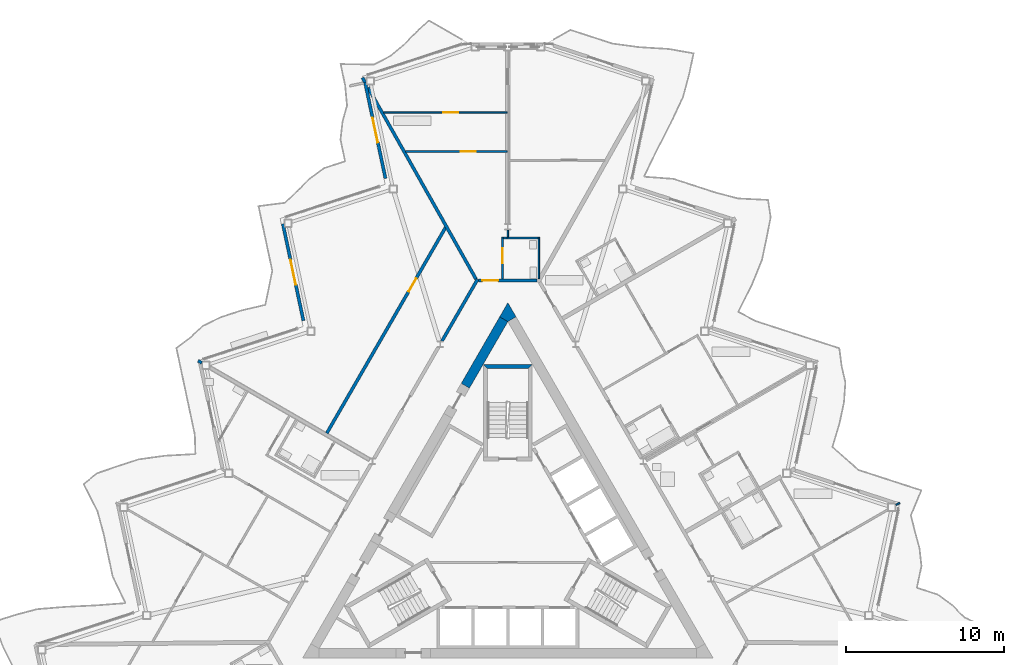
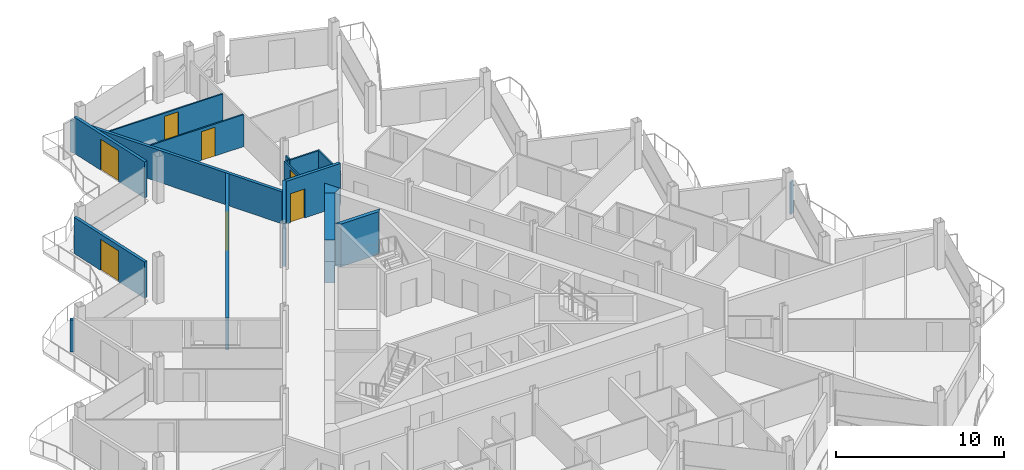
# One storey, part 17 of 26: 19 walls, 7 doors, 7 openings.
"""IFC4 building model written with IfcOpenShell, lengths in metres."""

from ifc_helpers import new_model, si_unit, direction, frame, frame_2d, origin, place, context, subcontext, project, spatial, polyline, rectangle, outline, extrude, material, layer, layer_set, type_object, element, fill, save


model = new_model("IFC4")

# Units and contexts
model_context = context("Model", 3, precision=1e-05, world=origin(), true_north=direction((0.0, 1.0)))
body_context = subcontext(model_context, "Body", "Model", "MODEL_VIEW")
ifc_project = project(units=[si_unit("LENGTHUNIT", "METRE"), si_unit("AREAUNIT", "SQUARE_METRE"), si_unit("VOLUMEUNIT", "CUBIC_METRE"), si_unit("PLANEANGLEUNIT", "RADIAN"), si_unit("MASSUNIT", "GRAM", prefix="KILO")], contexts=[model_context])

# Site, building, storey
site_placement = place(None, origin())
site = spatial("IfcSite", under=ifc_project, at=site_placement, CompositionType="ELEMENT")
building_placement = place(site_placement, origin())
building = spatial("IfcBuilding", under=site, at=building_placement, Name="Cormorant Prow Tower", CompositionType="ELEMENT")
storey_placement = place(building_placement, frame((0.0, 0.0, 378.0)))
storey = spatial("IfcBuildingStorey", under=building, at=storey_placement, Name="L85", CompositionType="ELEMENT", Elevation=378.0)

# Walls
ifc_material_1 = material(Name="Concrete 8000 psi", Category="concrete")
ifc_layer_1 = layer(ifc_material_1, 0.60009765625)
ifc_layer_set_1 = layer_set([ifc_layer_1], Name="Concrete 8000 psi")
wall_type_1 = type_object("IfcWallType", Name="Core shear wall 600", PredefinedType="SHEAR", material=ifc_layer_set_1)
wall_1_placement = place(storey_placement, frame((-0.259765625, 13.961181640625, 0.0), z_axis=(0.0, 0.0, 1.0), x_axis=(-0.50000604952, -0.866021911064, 0.0)))
element("IfcWall", 1, at=wall_1_placement, inside=storey, type_object=wall_type_1, Name="Core wall", PredefinedType="SHEAR", context=body_context, shape_type="SweptSolid", body=[
    extrude(rectangle(XDim=4.86865234375, YDim=0.60009765625, at=frame_2d((2.434326171875, 0.0))), origin(), (0.0, 0.0, 1.0), 3.10009765625),
])
wall_2_placement = place(storey_placement, origin())
element("IfcWall", 2, at=wall_2_placement, inside=storey, type_object=wall_type_1, Name="Core wall corner", PredefinedType="SHEAR", context=body_context, shape_type="SweptSolid", body=[
    extrude(outline(polyline([(-0.51953125, 14.111083984375), (0.0, 15.010986328125), (0.51953125, 14.111083984375), (0.0, 13.81103515625), (-0.51953125, 14.111083984375)])), origin(), (0.0, 0.0, 1.0), 3.10009765625),
])
ifc_material_2 = material(Name="Gypsum board corridor wall")
ifc_layer_2 = layer(ifc_material_2, 0.199951171875)
ifc_layer_set_2 = layer_set([ifc_layer_2], Name="Gypsum board corridor wall")
wall_type_2 = type_object("IfcWallType", Name="Corridor wall 200", PredefinedType="PARTITIONING", material=ifc_layer_set_2)
wall_3_placement = place(storey_placement, frame((-4.175537109375, 12.578857421875, 0.0), z_axis=(0.0, 0.0, 1.0), x_axis=(0.499974648164, 0.866040040179, 0.0)))
element("IfcWall", 3, at=wall_3_placement, inside=storey, type_object=wall_type_2, Name="Corridor wall", PredefinedType="PARTITIONING", context=body_context, shape_type="SweptSolid", body=[
    extrude(rectangle(XDim=4.525146484375, YDim=0.199951171875, at=frame_2d((2.2626953125, 0.0))), origin(), (0.0, 0.0, 1.0), 3.10009765625),
])

# Wall, opening, door
wall_4_placement = place(storey_placement, frame((-1.863037109375, 16.4111328125, 0.0), z_axis=(0.0, 0.0, 1.0), x_axis=(1.0, 0.0, 0.0)))
wall_4 = element("IfcWall", 4, at=wall_4_placement, inside=storey, type_object=wall_type_2, Name="Corridor wall", PredefinedType="PARTITIONING", context=body_context, shape_type="SweptSolid", body=[
    extrude(rectangle(XDim=3.700927734375, YDim=0.199951171875, at=frame_2d((1.8505859375, 0.0))), origin(), (0.0, 0.0, 1.0), 3.10009765625),
])
opening_1_placement = place(wall_4_placement, frame((0.25, 0.0, 0.0)))
opening_1 = element("IfcOpeningElement", 5, at=opening_1_placement, cuts=wall_4, Name="Opening L85-F37", PredefinedType="OPENING", context=body_context, shape_type="SweptSolid", body=[
    extrude(rectangle(XDim=1.0, YDim=2.10009765625, at=frame_2d((0.5, 1.050048828125))), frame((0.0, 0.10986328125, 0.0), z_axis=(0.0, -1.0, 0.0), x_axis=(1.0, 0.0, 0.0)), (0.0, 0.0, 1.0), 0.219970703125),
])
ifc_material_3 = material(Name="Timber door leaf", Category="wood")
door_type_1 = type_object("IfcDoorType", Name="Flat or room entrance door 1000x2100", OperationType="NOTDEFINED", PredefinedType="DOOR", material=ifc_material_3)
door_1_placement = place(opening_1_placement, origin())
door_1 = element("IfcDoor", 6, at=door_1_placement, inside=storey, type_object=door_type_1, Name="Living room door", OperationType="SINGLE_SWING_RIGHT", OverallHeight=2.10009765625, OverallWidth=1.0, PredefinedType="DOOR", context=body_context, shape_type="SweptSolid", body=[
    extrude(rectangle(XDim=1.0, YDim=2.10009765625, at=frame_2d((0.5, 1.050048828125))), frame((0.0, 0.02490234375, 0.0), z_axis=(0.0, -1.0, 0.0), x_axis=(1.0, 0.0, 0.0)), (0.0, 0.0, 1.0), 0.050048828125),
])
fill(opening_1, door_1)

ifc_material_4 = material(Name="Gypsum board demising wall")
ifc_layer_3 = layer(ifc_material_4, 0.199951171875)
ifc_layer_set_3 = layer_set([ifc_layer_3], Name="Gypsum board demising wall")
wall_type_3 = type_object("IfcWallType", Name="Demising wall 200", PredefinedType="PARTITIONING", material=ifc_layer_set_3)
wall_5_placement = place(storey_placement, frame((-11.472900390625, 6.739501953125, 0.0), z_axis=(0.0, 0.0, 1.0), x_axis=(0.500001082559, 0.866024778768, 0.0)))
wall_5 = element("IfcWall", 7, at=wall_5_placement, inside=storey, type_object=wall_type_3, Name="Demising wall", PredefinedType="PARTITIONING", context=body_context, shape_type="SweptSolid", body=[
    extrude(rectangle(XDim=15.09375, YDim=0.199951171875, at=frame_2d((7.546875, 0.0))), origin(), (0.0, 0.0, 1.0), 2.330078125),
])
opening_2_placement = place(wall_5_placement, frame((10.382568359375, 0.0, 0.0)))
opening_2 = element("IfcOpeningElement", 8, at=opening_2_placement, cuts=wall_5, Name="Opening L85-F44", PredefinedType="OPENING", context=body_context, shape_type="SweptSolid", body=[
    extrude(rectangle(XDim=0.949951171875, YDim=2.10009765625, at=frame_2d((0.47509765625, 1.050048828125))), frame((0.0, 0.10986328125, 0.0), z_axis=(0.0, -1.0, 0.0), x_axis=(1.0, 0.0, 0.0)), (0.0, 0.0, 1.0), 0.219970703125),
])
ifc_material_5 = material(Name="Timber door leaf", Category="wood")
door_type_2 = type_object("IfcDoorType", Name="Store door 950x2100", OperationType="NOTDEFINED", PredefinedType="DOOR", material=ifc_material_5)
door_2_placement = place(opening_2_placement, origin())
door_2 = element("IfcDoor", 9, at=door_2_placement, inside=storey, type_object=door_type_2, Name="Refuse room door", OperationType="SINGLE_SWING_LEFT", OverallHeight=2.10009765625, OverallWidth=0.949951171875, PredefinedType="DOOR", context=body_context, shape_type="SweptSolid", body=[
    extrude(rectangle(XDim=0.949951171875, YDim=2.10009765625, at=frame_2d((0.47509765625, 1.050048828125))), frame((0.0, 0.02490234375, 0.0), z_axis=(0.0, -1.0, 0.0), x_axis=(1.0, 0.0, 0.0)), (0.0, 0.0, 1.0), 0.050048828125),
])
fill(opening_2, door_2)

# Walls
wall_6_placement = place(storey_placement, frame((-8.864990234375, 28.649169921875, 0.0), z_axis=(0.0, 0.0, 1.0), x_axis=(0.491236420263, -0.871026279401, 0.0)))
element("IfcWall", 10, at=wall_6_placement, inside=storey, type_object=wall_type_3, Name="Demising wall", PredefinedType="PARTITIONING", context=body_context, shape_type="SweptSolid", body=[
    extrude(rectangle(XDim=13.949951171875, YDim=0.199951171875, at=frame_2d((6.97509765625, 0.0))), origin(), (0.0, 0.0, 1.0), 2.330078125),
])
wall_7_placement = place(storey_placement, frame((-9.211181640625, 29.262939453125, 0.0), z_axis=(0.0, 0.0, 1.0), x_axis=(0.4910719836, -0.871118996994, 0.0)))
element("IfcWall", 11, at=wall_7_placement, inside=storey, type_object=wall_type_3, Name="Demising wall", PredefinedType="PARTITIONING", context=body_context, shape_type="SweptSolid", body=[
    extrude(rectangle(XDim=0.343017578125, YDim=0.199951171875, at=frame_2d((0.17138671875, 0.0))), origin(), (0.0, 0.0, 1.0), 2.330078125),
])
wall_8_placement = place(storey_placement, frame((-19.62890625, 11.332763671875, 0.0), z_axis=(0.0, 0.0, 1.0), x_axis=(0.866068339032, -0.499925626596, 0.0)))
element("IfcWall", 12, at=wall_8_placement, inside=storey, type_object=wall_type_3, Name="Demising wall", PredefinedType="PARTITIONING", context=body_context, shape_type="SweptSolid", body=[
    extrude(rectangle(XDim=0.27734375, YDim=0.199951171875, at=frame_2d((0.138671875, 0.0))), origin(), (0.0, 0.0, 1.0), 2.330078125),
])

# Wall, opening, door
ifc_material_6 = material(Name="Gypsum board partition")
ifc_layer_4 = layer(ifc_material_6, 0.10009765625)
ifc_layer_set_4 = layer_set([ifc_layer_4], Name="Gypsum board partition")
wall_type_4 = type_object("IfcWallType", Name="Internal partition 100", PredefinedType="PARTITIONING", material=ifc_layer_set_4)
wall_9_placement = place(storey_placement, frame((-7.870849609375, 27.063720703125, 0.0), z_axis=(0.0, 0.0, 1.0), x_axis=(1.0, 0.0, 0.0)))
wall_9 = element("IfcWall", 13, at=wall_9_placement, inside=storey, type_object=wall_type_4, Name="Internal partition", PredefinedType="PARTITIONING", context=body_context, shape_type="SweptSolid", body=[
    extrude(rectangle(XDim=7.82080078125, YDim=0.10009765625, at=frame_2d((3.910400390625, 0.0))), origin(), (0.0, 0.0, 1.0), 2.330078125),
])
opening_3_placement = place(wall_9_placement, frame((3.789306640625, 0.0, 0.0)))
opening_3 = element("IfcOpeningElement", 14, at=opening_3_placement, cuts=wall_9, Name="Opening L85-F40", PredefinedType="OPENING", context=body_context, shape_type="SweptSolid", body=[
    extrude(rectangle(XDim=0.949951171875, YDim=2.10009765625, at=frame_2d((0.47509765625, 1.050048828125))), frame((0.0, 0.06005859375, 0.0), z_axis=(0.0, -1.0, 0.0), x_axis=(1.0, 0.0, 0.0)), (0.0, 0.0, 1.0), 0.1201171875),
])
ifc_material_7 = material(Name="Timber door leaf", Category="wood")
door_type_3 = type_object("IfcDoorType", Name="Bathroom door 950x2100", OperationType="NOTDEFINED", PredefinedType="DOOR", material=ifc_material_7)
door_3_placement = place(opening_3_placement, origin())
door_3 = element("IfcDoor", 15, at=door_3_placement, inside=storey, type_object=door_type_3, Name="Kitchen door", OperationType="SINGLE_SWING_RIGHT", OverallHeight=2.10009765625, OverallWidth=0.949951171875, PredefinedType="DOOR", context=body_context, shape_type="SweptSolid", body=[
    extrude(rectangle(XDim=0.949951171875, YDim=2.10009765625, at=frame_2d((0.47509765625, 1.050048828125))), frame((0.0, 0.02490234375, 0.0), z_axis=(0.0, -1.0, 0.0), x_axis=(1.0, 0.0, 0.0)), (0.0, 0.0, 1.0), 0.050048828125),
])
fill(opening_3, door_3)

wall_10_placement = place(storey_placement, frame((-6.47509765625, 24.588623046875, 0.0), z_axis=(0.0, 0.0, 1.0), x_axis=(1.0, 0.0, 0.0)))
wall_10 = element("IfcWall", 16, at=wall_10_placement, inside=storey, type_object=wall_type_4, Name="Internal partition", PredefinedType="PARTITIONING", context=body_context, shape_type="SweptSolid", body=[
    extrude(rectangle(XDim=6.425048828125, YDim=0.10009765625, at=frame_2d((3.21240234375, 0.0))), origin(), (0.0, 0.0, 1.0), 2.330078125),
])
opening_4_placement = place(wall_10_placement, frame((3.4990234375, 0.0, 0.0)))
opening_4 = element("IfcOpeningElement", 17, at=opening_4_placement, cuts=wall_10, Name="Opening L85-F39", PredefinedType="OPENING", context=body_context, shape_type="SweptSolid", body=[
    extrude(rectangle(XDim=0.949951171875, YDim=2.10009765625, at=frame_2d((0.47509765625, 1.050048828125))), frame((0.0, 0.06005859375, 0.0), z_axis=(0.0, -1.0, 0.0), x_axis=(1.0, 0.0, 0.0)), (0.0, 0.0, 1.0), 0.1201171875),
])
door_4_placement = place(opening_4_placement, origin())
door_4 = element("IfcDoor", 18, at=door_4_placement, inside=storey, type_object=door_type_3, Name="Living room door", OperationType="SINGLE_SWING_LEFT", OverallHeight=2.10009765625, OverallWidth=0.949951171875, PredefinedType="DOOR", context=body_context, shape_type="SweptSolid", body=[
    extrude(rectangle(XDim=0.949951171875, YDim=2.10009765625, at=frame_2d((0.47509765625, 1.050048828125))), frame((0.0, 0.02490234375, 0.0), z_axis=(0.0, -1.0, 0.0), x_axis=(1.0, 0.0, 0.0)), (0.0, 0.0, 1.0), 0.050048828125),
])
fill(opening_4, door_4)

# Wall
wall_11_placement = place(storey_placement, frame((1.962890625, 16.5361328125, 0.0), z_axis=(0.0, 0.0, 1.0), x_axis=(0.0, 1.0, 0.0)))
element("IfcWall", 19, at=wall_11_placement, inside=storey, type_object=wall_type_4, Name="Internal partition", PredefinedType="PARTITIONING", context=body_context, shape_type="SweptSolid", body=[
    extrude(rectangle(XDim=2.625, YDim=0.10009765625, at=frame_2d((1.3125, 0.0))), origin(), (0.0, 0.0, 1.0), 2.330078125),
])

# Wall, opening, door
wall_12_placement = place(storey_placement, frame((-0.3369140625, 16.510986328125, 0.0), z_axis=(0.0, 0.0, 1.0), x_axis=(0.0, 1.0, 0.0)))
wall_12 = element("IfcWall", 20, at=wall_12_placement, inside=storey, type_object=wall_type_4, Name="Internal partition", PredefinedType="PARTITIONING", context=body_context, shape_type="SweptSolid", body=[
    extrude(rectangle(XDim=2.649169921875, YDim=0.10009765625, at=frame_2d((1.32470703125, 0.0))), origin(), (0.0, 0.0, 1.0), 2.330078125),
])
opening_5_placement = place(wall_12_placement, frame((1.01318359375, 0.0, 0.0)))
opening_5 = element("IfcOpeningElement", 21, at=opening_5_placement, cuts=wall_12, Name="Opening L85-F38", PredefinedType="OPENING", context=body_context, shape_type="SweptSolid", body=[
    extrude(rectangle(XDim=0.949951171875, YDim=2.10009765625, at=frame_2d((0.47509765625, 1.050048828125))), frame((0.0, 0.06005859375, 0.0), z_axis=(0.0, -1.0, 0.0), x_axis=(1.0, 0.0, 0.0)), (0.0, 0.0, 1.0), 0.1201171875),
])
door_5_placement = place(opening_5_placement, origin())
door_5 = element("IfcDoor", 22, at=door_5_placement, inside=storey, type_object=door_type_3, Name="Living room door", OperationType="SINGLE_SWING_RIGHT", OverallHeight=2.10009765625, OverallWidth=0.949951171875, PredefinedType="DOOR", context=body_context, shape_type="SweptSolid", body=[
    extrude(rectangle(XDim=0.949951171875, YDim=2.10009765625, at=frame_2d((0.47509765625, 1.050048828125))), frame((0.0, 0.02490234375, 0.0), z_axis=(0.0, -1.0, 0.0), x_axis=(1.0, 0.0, 0.0)), (0.0, 0.0, 1.0), 0.050048828125),
])
fill(opening_5, door_5)

# Walls
wall_13_placement = place(storey_placement, frame((-0.06005859375, 19.111083984375, 0.0), z_axis=(0.0, 0.0, 1.0), x_axis=(1.0, 0.0, 0.0)))
element("IfcWall", 23, at=wall_13_placement, inside=storey, type_object=wall_type_4, Name="Internal partition", PredefinedType="PARTITIONING", context=body_context, shape_type="SweptSolid", body=[
    extrude(rectangle(XDim=1.97314453125, YDim=0.10009765625, at=frame_2d((0.986572265625, 0.0))), origin(), (0.0, 0.0, 1.0), 2.330078125),
])
wall_14_placement = place(storey_placement, frame((0.0, 19.1611328125, 0.0), z_axis=(0.0, 0.0, 1.0), x_axis=(0.0, 1.0, 0.0)))
element("IfcWall", 24, at=wall_14_placement, inside=storey, type_object=wall_type_4, Name="Internal partition", PredefinedType="PARTITIONING", context=body_context, shape_type="SweptSolid", body=[
    extrude(rectangle(XDim=0.452880859375, YDim=0.10009765625, at=frame_2d((0.2265625, 0.0))), origin(), (0.0, 0.0, 1.0), 2.330078125),
])
wall_15_placement = place(storey_placement, frame((24.588623046875, 2.1875, 0.0), z_axis=(0.0, 0.0, 1.0), x_axis=(0.866288059981, 0.499544789918, 0.0)))
element("IfcWall", 25, at=wall_15_placement, inside=storey, type_object=wall_type_4, Name="Internal partition", PredefinedType="PARTITIONING", context=body_context, shape_type="SweptSolid", body=[
    extrude(rectangle(XDim=0.277587890625, YDim=0.10009765625, at=frame_2d((0.138671875, 0.0))), origin(), (0.0, 0.0, 1.0), 2.330078125),
])
wall_16_placement = place(storey_placement, frame((-0.287109375, 19.1103515625, 0.0), z_axis=(0.0, 0.0, 1.0), x_axis=(0.999994683407, 0.003260852229, 0.0)))
element("IfcWall", 26, at=wall_16_placement, inside=storey, type_object=wall_type_4, Name="Internal partition", PredefinedType="PARTITIONING", context=body_context, shape_type="SweptSolid", body=[
    extrude(rectangle(XDim=0.224609375, YDim=0.10009765625, at=frame_2d((0.1123046875, 0.0))), origin(), (0.0, 0.0, 1.0), 2.330078125),
])
ifc_material_8 = material(Name="Concrete 8000 psi", Category="concrete")
ifc_layer_5 = layer(ifc_material_8, 0.25)
ifc_layer_set_5 = layer_set([ifc_layer_5], Name="Concrete 8000 psi")
wall_type_5 = type_object("IfcWallType", Name="Stair wall 250", PredefinedType="SHEAR", material=ifc_layer_set_5)
wall_17_placement = place(storey_placement, origin())
element("IfcWall", 27, at=wall_17_placement, inside=storey, type_object=wall_type_5, Name="Stair ST3 enclosure wall (end)", PredefinedType="SHEAR", context=body_context, shape_type="SweptSolid", body=[
    extrude(outline(polyline([(1.5439453125, 11.0869140625), (-1.5439453125, 11.0869140625), (-1.2939453125, 10.8369140625), (1.2939453125, 10.8369140625), (1.5439453125, 11.0869140625)])), origin(), (0.0, 0.0, 1.0), 3.10009765625),
])

# Wall, opening, door
ifc_material_9 = material(Name="Terracotta", Category="masonry")
ifc_layer_6 = layer(ifc_material_9, 0.199951171875)
ifc_layer_set_6 = layer_set([ifc_layer_6], Name="Terracotta")
wall_type_6 = type_object("IfcWallType", Name="Terracotta jamb wall 200", PredefinedType="SOLIDWALL", material=ifc_layer_set_6)
wall_18_placement = place(storey_placement, frame((-9.05517578125, 29.009033203125, 0.0), z_axis=(0.0, 0.0, 1.0), x_axis=(0.207926797195, -0.978144389652, 0.0)))
wall_18 = element("IfcWall", 28, at=wall_18_placement, inside=storey, type_object=wall_type_6, Name="Terracotta jamb wall WNW01", PredefinedType="SOLIDWALL", context=body_context, shape_type="SweptSolid", body=[
    extrude(rectangle(XDim=6.265380859375, YDim=0.199951171875, at=frame_2d((3.1328125, 0.0))), origin(), (0.0, 0.0, 1.0), 2.6337890625),
])
opening_6_placement = place(wall_18_placement, frame((2.332763671875, 0.0, 0.0)))
opening_6 = element("IfcOpeningElement", 29, at=opening_6_placement, cuts=wall_18, Name="Opening ED85.11", PredefinedType="OPENING", context=body_context, shape_type="SweptSolid", body=[
    extrude(rectangle(XDim=1.60009765625, YDim=2.25, at=frame_2d((0.800048828125, 1.125))), frame((0.0, 0.10986328125, 0.0), z_axis=(0.0, -1.0, 0.0), x_axis=(1.0, 0.0, 0.0)), (0.0, 0.0, 1.0), 0.219970703125),
])
ifc_material_10 = material(Name="Aluminium 6063-T6", Category="aluminium")
door_type_4 = type_object("IfcDoorType", Name="Balcony door 1600x2250", OperationType="DOUBLE_DOOR_SINGLE_SWING", PredefinedType="DOOR", material=ifc_material_10)
door_6_placement = place(opening_6_placement, origin())
door_6 = element("IfcDoor", 30, at=door_6_placement, inside=storey, type_object=door_type_4, Name="Balcony door WNW01 ED85.11", OperationType="DOUBLE_DOOR_SINGLE_SWING", OverallHeight=2.25, OverallWidth=1.60009765625, PredefinedType="DOOR", context=body_context, shape_type="SweptSolid", body=[
    extrude(rectangle(XDim=1.60009765625, YDim=2.25, at=frame_2d((0.800048828125, 1.125))), frame((0.0, 0.02490234375, 0.0), z_axis=(0.0, -1.0, 0.0), x_axis=(1.0, 0.0, 0.0)), (0.0, 0.0, 1.0), 0.050048828125),
])
fill(opening_6, door_6)

wall_19_placement = place(storey_placement, frame((-14.255126953125, 20.002197265625, 0.0), z_axis=(0.0, 0.0, 1.0), x_axis=(0.207926797195, -0.978144389652, 0.0)))
wall_19 = element("IfcWall", 31, at=wall_19_placement, inside=storey, type_object=wall_type_6, Name="Terracotta jamb wall WNW03", PredefinedType="SOLIDWALL", context=body_context, shape_type="SweptSolid", body=[
    extrude(rectangle(XDim=6.265380859375, YDim=0.199951171875, at=frame_2d((3.1328125, 0.0))), origin(), (0.0, 0.0, 1.0), 2.6337890625),
])
opening_7_placement = place(wall_19_placement, frame((2.332763671875, 0.0, 0.0)))
opening_7 = element("IfcOpeningElement", 32, at=opening_7_placement, cuts=wall_19, Name="Opening ED85.12", PredefinedType="OPENING", context=body_context, shape_type="SweptSolid", body=[
    extrude(rectangle(XDim=1.60009765625, YDim=2.25, at=frame_2d((0.800048828125, 1.125))), frame((0.0, 0.10986328125, 0.0), z_axis=(0.0, -1.0, 0.0), x_axis=(1.0, 0.0, 0.0)), (0.0, 0.0, 1.0), 0.219970703125),
])
door_7_placement = place(opening_7_placement, origin())
door_7 = element("IfcDoor", 33, at=door_7_placement, inside=storey, type_object=door_type_4, Name="Balcony door WNW03 ED85.12", OperationType="DOUBLE_DOOR_SINGLE_SWING", OverallHeight=2.25, OverallWidth=1.60009765625, PredefinedType="DOOR", context=body_context, shape_type="SweptSolid", body=[
    extrude(rectangle(XDim=1.60009765625, YDim=2.25, at=frame_2d((0.800048828125, 1.125))), frame((0.0, 0.02490234375, 0.0), z_axis=(0.0, -1.0, 0.0), x_axis=(1.0, 0.0, 0.0)), (0.0, 0.0, 1.0), 0.050048828125),
])
fill(opening_7, door_7)

save(model, "model.ifc")
